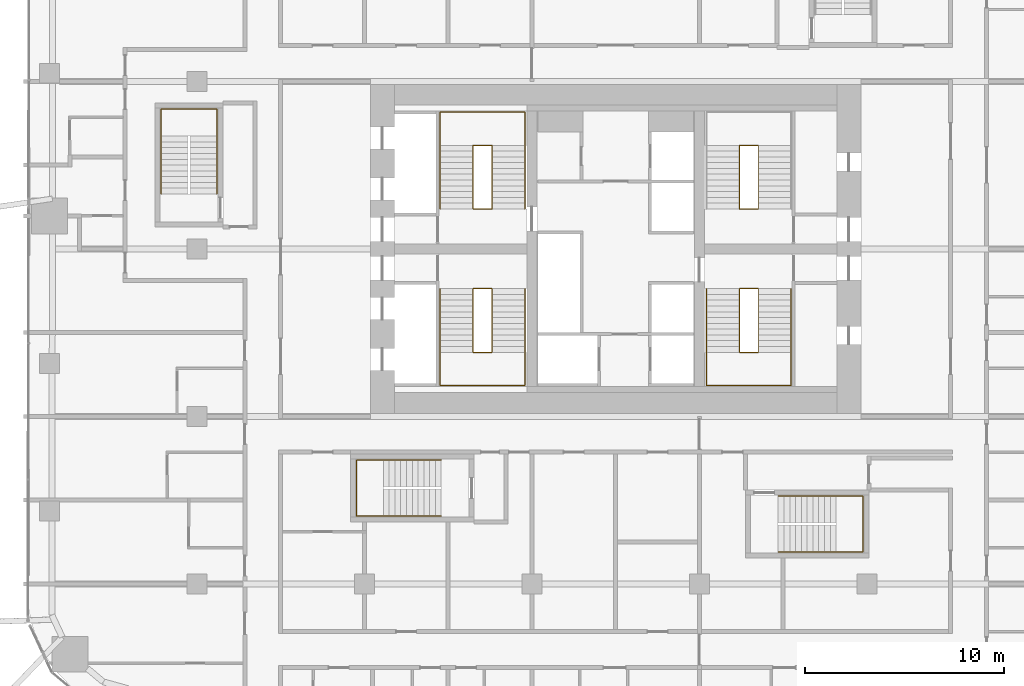
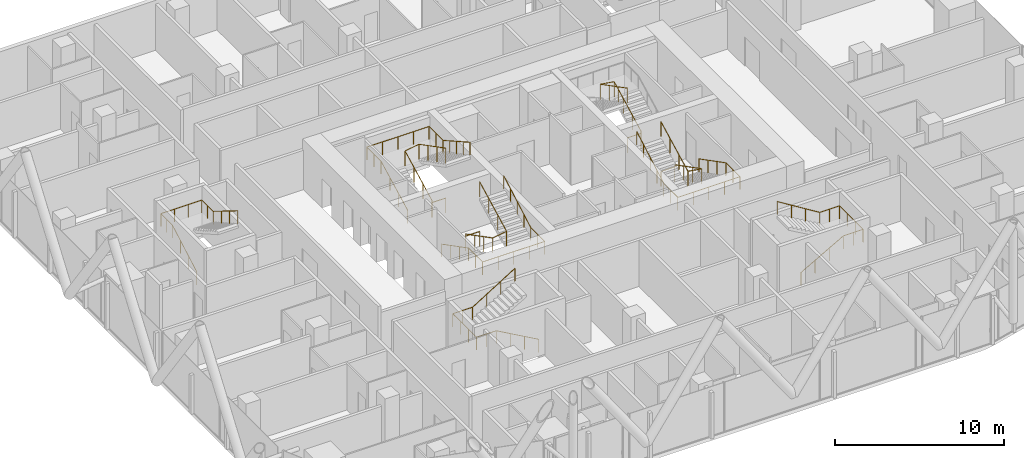
# One storey, part 37 of 38: 10 railings.
"""IFC4 building model written with IfcOpenShell, lengths in metres."""

from ifc_helpers import new_model, si_unit, direction, frame, origin, origin_2d, place, context, subcontext, project, spatial, circle, extrude, material, type_object, element, save


model = new_model("IFC4")

# Units and contexts
model_context = context("Model", 3, precision=1e-05, world=origin(), true_north=direction((0.0, 1.0)))
body_context = subcontext(model_context, "Body", "Model", "MODEL_VIEW")
ifc_project = project(units=[si_unit("LENGTHUNIT", "METRE"), si_unit("AREAUNIT", "SQUARE_METRE"), si_unit("VOLUMEUNIT", "CUBIC_METRE"), si_unit("PLANEANGLEUNIT", "RADIAN"), si_unit("MASSUNIT", "GRAM", prefix="KILO")], contexts=[model_context])

# Site, building, storey
site_placement = place(None, origin())
site = spatial("IfcSite", under=ifc_project, at=site_placement, CompositionType="ELEMENT")
building_placement = place(site_placement, origin())
building = spatial("IfcBuilding", under=site, at=building_placement, Name="Marenta Gate Hotel Tower", CompositionType="ELEMENT")
storey_placement = place(building_placement, frame((0.0, 0.0, 54.5)))
storey = spatial("IfcBuildingStorey", under=building, at=storey_placement, Name="L11", CompositionType="ELEMENT", Elevation=54.5)

# Railings
ifc_material_1 = material(Name="Stainless steel", Category="steel")
railing_type_1 = type_object("IfcRailingType", Name="Core stair handrail 950", PredefinedType="HANDRAIL", material=ifc_material_1)
railing_1_placement = place(storey_placement, frame((-8.800048828125, 6.39990234375, 0.14990234375)))
element("IfcRailing", 1, at=railing_1_placement, inside=storey, type_object=railing_type_1, Name="HR-950 L11-KR-ST1-1", PredefinedType="HANDRAIL", context=body_context, shape_type="SweptSolid", body=[
    extrude(circle(Radius=0.02392578125, at=origin_2d()), frame((0.0, 0.0, 0.92578125), z_axis=(0.0, -0.888197555067, 0.459461753765), x_axis=(1.0, 0.0, 0.0)), (0.0, 0.0, 1.0), 3.591552734375),
    extrude(circle(Radius=0.02392578125, at=origin_2d()), frame((0.0, -3.18994140625, 2.576171875), z_axis=(0.0, -1.0, 0.0), x_axis=(1.0, 0.0, 0.0)), (0.0, 0.0, 1.0), 1.659912109375),
    extrude(circle(Radius=0.02392578125, at=origin_2d()), frame((0.0, -4.849853515625, 2.576171875), z_axis=(1.0, 0.0, 0.0), x_axis=(0.0, 1.0, 0.0)), (0.0, 0.0, 1.0), 4.25),
    extrude(circle(Radius=0.02392578125, at=origin_2d()), frame((4.25, -4.849853515625, 2.576171875), z_axis=(0.0, 1.0, 0.0), x_axis=(-1.0, 0.0, 0.0)), (0.0, 0.0, 1.0), 1.659912109375),
    extrude(circle(Radius=0.02392578125, at=origin_2d()), frame((4.25, -3.18994140625, 2.576171875), z_axis=(0.0, 0.87090897868, 0.491444351738), x_axis=(-1.0, 0.0, 0.0)), (0.0, 0.0, 1.0), 3.662841796875),
    extrude(circle(Radius=0.02099609375, at=origin_2d()), origin(), (0.0, 0.0, 1.0), 0.90185546875),
    extrude(circle(Radius=0.02099609375, at=origin_2d()), frame((0.0, -1.063232421875, 0.550048828125)), (0.0, 0.0, 1.0), 0.90185546875),
    extrude(circle(Radius=0.02099609375, at=origin_2d()), frame((0.0, -2.126708984375, 1.10009765625)), (0.0, 0.0, 1.0), 0.90185546875),
    extrude(circle(Radius=0.02099609375, at=origin_2d()), frame((0.0, -3.18994140625, 1.650146484375)), (0.0, 0.0, 1.0), 0.90185546875),
    extrude(circle(Radius=0.02099609375, at=origin_2d()), frame((0.0, -4.02001953125, 1.650146484375)), (0.0, 0.0, 1.0), 0.90185546875),
    extrude(circle(Radius=0.02099609375, at=origin_2d()), frame((0.0, -4.849853515625, 1.650146484375)), (0.0, 0.0, 1.0), 0.90185546875),
    extrude(circle(Radius=0.02099609375, at=origin_2d()), frame((1.0625, -4.849853515625, 1.650146484375)), (0.0, 0.0, 1.0), 0.90185546875),
    extrude(circle(Radius=0.02099609375, at=origin_2d()), frame((2.125, -4.849853515625, 1.650146484375)), (0.0, 0.0, 1.0), 0.90185546875),
    extrude(circle(Radius=0.02099609375, at=origin_2d()), frame((3.1875, -4.849853515625, 1.650146484375)), (0.0, 0.0, 1.0), 0.90185546875),
    extrude(circle(Radius=0.02099609375, at=origin_2d()), frame((4.25, -4.849853515625, 1.650146484375)), (0.0, 0.0, 1.0), 0.90185546875),
    extrude(circle(Radius=0.02099609375, at=origin_2d()), frame((4.25, -4.02001953125, 1.650146484375)), (0.0, 0.0, 1.0), 0.90185546875),
    extrude(circle(Radius=0.02099609375, at=origin_2d()), frame((4.25, -3.18994140625, 1.650146484375)), (0.0, 0.0, 1.0), 0.90185546875),
    extrude(circle(Radius=0.02099609375, at=origin_2d()), frame((4.25, -2.392578125, 2.10009765625)), (0.0, 0.0, 1.0), 0.90185546875),
    extrude(circle(Radius=0.02099609375, at=origin_2d()), frame((4.25, -1.594970703125, 2.55029296875)), (0.0, 0.0, 1.0), 0.90185546875),
    extrude(circle(Radius=0.02099609375, at=origin_2d()), frame((4.25, -0.79736328125, 3.000244140625)), (0.0, 0.0, 1.0), 0.90185546875),
    extrude(circle(Radius=0.02099609375, at=origin_2d()), frame((4.25, 0.0, 3.4501953125)), (0.0, 0.0, 1.0), 0.90185546875),
])
railing_2_placement = place(storey_placement, frame((-8.800048828125, 10.39990234375, 0.14990234375)))
element("IfcRailing", 2, at=railing_2_placement, inside=storey, type_object=railing_type_1, Name="HR-950 L11-KR-ST2-1", PredefinedType="HANDRAIL", context=body_context, shape_type="SweptSolid", body=[
    extrude(circle(Radius=0.02392578125, at=origin_2d()), frame((0.0, 0.0, 0.92578125), z_axis=(0.0, 0.888211904222, 0.459434013977), x_axis=(-1.0, 0.0, 0.0)), (0.0, 0.0, 1.0), 3.591796875),
    extrude(circle(Radius=0.02392578125, at=origin_2d()), frame((0.0, 3.190185546875, 2.576171875), z_axis=(0.0, 1.0, 0.0), x_axis=(-1.0, 0.0, 0.0)), (0.0, 0.0, 1.0), 1.659912109375),
    extrude(circle(Radius=0.02392578125, at=origin_2d()), frame((0.0, 4.85009765625, 2.576171875), z_axis=(1.0, 0.0, 0.0), x_axis=(0.0, 1.0, 0.0)), (0.0, 0.0, 1.0), 4.25),
    extrude(circle(Radius=0.02392578125, at=origin_2d()), frame((4.25, 4.85009765625, 2.576171875), z_axis=(0.0, -1.0, 0.0), x_axis=(1.0, 0.0, 0.0)), (0.0, 0.0, 1.0), 1.659912109375),
    extrude(circle(Radius=0.02392578125, at=origin_2d()), frame((4.25, 3.190185546875, 2.576171875), z_axis=(0.0, -0.870925075533, 0.491415824742), x_axis=(1.0, 0.0, 0.0)), (0.0, 0.0, 1.0), 3.6630859375),
    extrude(circle(Radius=0.02099609375, at=origin_2d()), origin(), (0.0, 0.0, 1.0), 0.90185546875),
    extrude(circle(Radius=0.02099609375, at=origin_2d()), frame((0.0, 1.0634765625, 0.550048828125)), (0.0, 0.0, 1.0), 0.90185546875),
    extrude(circle(Radius=0.02099609375, at=origin_2d()), frame((0.0, 2.126708984375, 1.10009765625)), (0.0, 0.0, 1.0), 0.90185546875),
    extrude(circle(Radius=0.02099609375, at=origin_2d()), frame((0.0, 3.190185546875, 1.650146484375)), (0.0, 0.0, 1.0), 0.90185546875),
    extrude(circle(Radius=0.02099609375, at=origin_2d()), frame((0.0, 4.02001953125, 1.650146484375)), (0.0, 0.0, 1.0), 0.90185546875),
    extrude(circle(Radius=0.02099609375, at=origin_2d()), frame((0.0, 4.85009765625, 1.650146484375)), (0.0, 0.0, 1.0), 0.90185546875),
    extrude(circle(Radius=0.02099609375, at=origin_2d()), frame((1.0625, 4.85009765625, 1.650146484375)), (0.0, 0.0, 1.0), 0.90185546875),
    extrude(circle(Radius=0.02099609375, at=origin_2d()), frame((2.125, 4.85009765625, 1.650146484375)), (0.0, 0.0, 1.0), 0.90185546875),
    extrude(circle(Radius=0.02099609375, at=origin_2d()), frame((3.1875, 4.85009765625, 1.650146484375)), (0.0, 0.0, 1.0), 0.90185546875),
    extrude(circle(Radius=0.02099609375, at=origin_2d()), frame((4.25, 4.85009765625, 1.650146484375)), (0.0, 0.0, 1.0), 0.90185546875),
    extrude(circle(Radius=0.02099609375, at=origin_2d()), frame((4.25, 4.02001953125, 1.650146484375)), (0.0, 0.0, 1.0), 0.90185546875),
    extrude(circle(Radius=0.02099609375, at=origin_2d()), frame((4.25, 3.190185546875, 1.650146484375)), (0.0, 0.0, 1.0), 0.90185546875),
    extrude(circle(Radius=0.02099609375, at=origin_2d()), frame((4.25, 2.392578125, 2.10009765625)), (0.0, 0.0, 1.0), 0.90185546875),
    extrude(circle(Radius=0.02099609375, at=origin_2d()), frame((4.25, 1.59521484375, 2.55029296875)), (0.0, 0.0, 1.0), 0.90185546875),
    extrude(circle(Radius=0.02099609375, at=origin_2d()), frame((4.25, 0.797607421875, 3.000244140625)), (0.0, 0.0, 1.0), 0.90185546875),
    extrude(circle(Radius=0.02099609375, at=origin_2d()), frame((4.25, 0.0, 3.4501953125)), (0.0, 0.0, 1.0), 0.90185546875),
])
railing_3_placement = place(storey_placement, frame((8.800048828125, 6.39990234375, 0.14990234375)))
element("IfcRailing", 3, at=railing_3_placement, inside=storey, type_object=railing_type_1, Name="HR-950 L11-KR-ST3-1", PredefinedType="HANDRAIL", context=body_context, shape_type="SweptSolid", body=[
    extrude(circle(Radius=0.02392578125, at=origin_2d()), frame((0.0, 0.0, 0.92578125), z_axis=(0.0, -0.888197555067, 0.459461753765), x_axis=(1.0, 0.0, 0.0)), (0.0, 0.0, 1.0), 3.591552734375),
    extrude(circle(Radius=0.02392578125, at=origin_2d()), frame((0.0, -3.18994140625, 2.576171875), z_axis=(0.0, -1.0, 0.0), x_axis=(1.0, 0.0, 0.0)), (0.0, 0.0, 1.0), 1.659912109375),
    extrude(circle(Radius=0.02392578125, at=origin_2d()), frame((0.0, -4.849853515625, 2.576171875), z_axis=(-1.0, 0.0, 0.0), x_axis=(0.0, -1.0, 0.0)), (0.0, 0.0, 1.0), 4.25),
    extrude(circle(Radius=0.02392578125, at=origin_2d()), frame((-4.25, -4.849853515625, 2.576171875), z_axis=(0.0, 1.0, 0.0), x_axis=(-1.0, 0.0, 0.0)), (0.0, 0.0, 1.0), 1.659912109375),
    extrude(circle(Radius=0.02392578125, at=origin_2d()), frame((-4.25, -3.18994140625, 2.576171875), z_axis=(0.0, 0.87090897868, 0.491444351738), x_axis=(-1.0, 0.0, 0.0)), (0.0, 0.0, 1.0), 3.662841796875),
    extrude(circle(Radius=0.02099609375, at=origin_2d()), origin(), (0.0, 0.0, 1.0), 0.90185546875),
    extrude(circle(Radius=0.02099609375, at=origin_2d()), frame((0.0, -1.063232421875, 0.550048828125)), (0.0, 0.0, 1.0), 0.90185546875),
    extrude(circle(Radius=0.02099609375, at=origin_2d()), frame((0.0, -2.126708984375, 1.10009765625)), (0.0, 0.0, 1.0), 0.90185546875),
    extrude(circle(Radius=0.02099609375, at=origin_2d()), frame((0.0, -3.18994140625, 1.650146484375)), (0.0, 0.0, 1.0), 0.90185546875),
    extrude(circle(Radius=0.02099609375, at=origin_2d()), frame((0.0, -4.02001953125, 1.650146484375)), (0.0, 0.0, 1.0), 0.90185546875),
    extrude(circle(Radius=0.02099609375, at=origin_2d()), frame((0.0, -4.849853515625, 1.650146484375)), (0.0, 0.0, 1.0), 0.90185546875),
    extrude(circle(Radius=0.02099609375, at=origin_2d()), frame((-1.0625, -4.849853515625, 1.650146484375)), (0.0, 0.0, 1.0), 0.90185546875),
    extrude(circle(Radius=0.02099609375, at=origin_2d()), frame((-2.125, -4.849853515625, 1.650146484375)), (0.0, 0.0, 1.0), 0.90185546875),
    extrude(circle(Radius=0.02099609375, at=origin_2d()), frame((-3.1875, -4.849853515625, 1.650146484375)), (0.0, 0.0, 1.0), 0.90185546875),
    extrude(circle(Radius=0.02099609375, at=origin_2d()), frame((-4.25, -4.849853515625, 1.650146484375)), (0.0, 0.0, 1.0), 0.90185546875),
    extrude(circle(Radius=0.02099609375, at=origin_2d()), frame((-4.25, -4.02001953125, 1.650146484375)), (0.0, 0.0, 1.0), 0.90185546875),
    extrude(circle(Radius=0.02099609375, at=origin_2d()), frame((-4.25, -3.18994140625, 1.650146484375)), (0.0, 0.0, 1.0), 0.90185546875),
    extrude(circle(Radius=0.02099609375, at=origin_2d()), frame((-4.25, -2.392578125, 2.10009765625)), (0.0, 0.0, 1.0), 0.90185546875),
    extrude(circle(Radius=0.02099609375, at=origin_2d()), frame((-4.25, -1.594970703125, 2.55029296875)), (0.0, 0.0, 1.0), 0.90185546875),
    extrude(circle(Radius=0.02099609375, at=origin_2d()), frame((-4.25, -0.79736328125, 3.000244140625)), (0.0, 0.0, 1.0), 0.90185546875),
    extrude(circle(Radius=0.02099609375, at=origin_2d()), frame((-4.25, 0.0, 3.4501953125)), (0.0, 0.0, 1.0), 0.90185546875),
])
railing_4_placement = place(storey_placement, frame((8.14990234375, -6.800048828125, 0.16357421875)))
element("IfcRailing", 4, at=railing_4_placement, inside=storey, type_object=railing_type_1, Name="HR-950 L11-RS-Z1-1-KR-1", PredefinedType="HANDRAIL", context=body_context, shape_type="SweptSolid", body=[
    extrude(circle(Radius=0.02392578125, at=origin_2d()), frame((0.0, 0.0, 0.92578125), z_axis=(0.870914908162, 0.0, 0.491433843708), x_axis=(0.0, 1.0, 0.0)), (0.0, 0.0, 1.0), 3.330078125),
    extrude(circle(Radius=0.02392578125, at=origin_2d()), frame((2.900146484375, 0.0, 2.5625), z_axis=(1.0, 0.0, 0.0), x_axis=(0.0, 1.0, 0.0)), (0.0, 0.0, 1.0), 1.349853515625),
    extrude(circle(Radius=0.02392578125, at=origin_2d()), frame((4.25, 0.0, 2.5625), z_axis=(0.0, 1.0, 0.0), x_axis=(-1.0, 0.0, 0.0)), (0.0, 0.0, 1.0), 2.800048828125),
    extrude(circle(Radius=0.02392578125, at=origin_2d()), frame((4.25, 2.800048828125, 2.5625), z_axis=(-1.0, 0.0, 0.0), x_axis=(0.0, -1.0, 0.0)), (0.0, 0.0, 1.0), 1.349853515625),
    extrude(circle(Radius=0.02392578125, at=origin_2d()), frame((2.900146484375, 2.800048828125, 2.5625), z_axis=(-0.849645691689, 0.0, 0.527353959494), x_axis=(0.0, -1.0, 0.0)), (0.0, 0.0, 1.0), 3.413330078125),
    extrude(circle(Radius=0.02099609375, at=origin_2d()), origin(), (0.0, 0.0, 1.0), 0.90185546875),
    extrude(circle(Radius=0.02099609375, at=origin_2d()), frame((0.966796875, 0.0, 0.54541015625)), (0.0, 0.0, 1.0), 0.90185546875),
    extrude(circle(Radius=0.02099609375, at=origin_2d()), frame((1.933349609375, 0.0, 1.091064453125)), (0.0, 0.0, 1.0), 0.90185546875),
    extrude(circle(Radius=0.02099609375, at=origin_2d()), frame((2.900146484375, 0.0, 1.636474609375)), (0.0, 0.0, 1.0), 0.90185546875),
    extrude(circle(Radius=0.02099609375, at=origin_2d()), frame((3.5751953125, 0.0, 1.636474609375)), (0.0, 0.0, 1.0), 0.90185546875),
    extrude(circle(Radius=0.02099609375, at=origin_2d()), frame((4.25, 0.0, 1.636474609375)), (0.0, 0.0, 1.0), 0.90185546875),
    extrude(circle(Radius=0.02099609375, at=origin_2d()), frame((4.25, 0.933349609375, 1.636474609375)), (0.0, 0.0, 1.0), 0.90185546875),
    extrude(circle(Radius=0.02099609375, at=origin_2d()), frame((4.25, 1.86669921875, 1.636474609375)), (0.0, 0.0, 1.0), 0.90185546875),
    extrude(circle(Radius=0.02099609375, at=origin_2d()), frame((4.25, 2.800048828125, 1.636474609375)), (0.0, 0.0, 1.0), 0.90185546875),
    extrude(circle(Radius=0.02099609375, at=origin_2d()), frame((3.5751953125, 2.800048828125, 1.636474609375)), (0.0, 0.0, 1.0), 0.90185546875),
    extrude(circle(Radius=0.02099609375, at=origin_2d()), frame((2.900146484375, 2.800048828125, 1.636474609375)), (0.0, 0.0, 1.0), 0.90185546875),
    extrude(circle(Radius=0.02099609375, at=origin_2d()), frame((1.933349609375, 2.800048828125, 2.236572265625)), (0.0, 0.0, 1.0), 0.90185546875),
    extrude(circle(Radius=0.02099609375, at=origin_2d()), frame((0.966796875, 2.800048828125, 2.83642578125)), (0.0, 0.0, 1.0), 0.90185546875),
    extrude(circle(Radius=0.02099609375, at=origin_2d()), frame((0.0, 2.800048828125, 3.4365234375)), (0.0, 0.0, 1.0), 0.90185546875),
])
railing_5_placement = place(storey_placement, frame((-8.75, -5.0, 0.16357421875)))
element("IfcRailing", 5, at=railing_5_placement, inside=storey, type_object=railing_type_1, Name="HR-950 L11-RS-Z1-2-KR-1", PredefinedType="HANDRAIL", context=body_context, shape_type="SweptSolid", body=[
    extrude(circle(Radius=0.02392578125, at=origin_2d()), frame((0.0, 0.0, 0.92578125), z_axis=(-0.870897200241, 0.0, 0.491465224214), x_axis=(0.0, -1.0, 0.0)), (0.0, 0.0, 1.0), 3.329833984375),
    extrude(circle(Radius=0.02392578125, at=origin_2d()), frame((-2.89990234375, 0.0, 2.5625), z_axis=(-1.0, 0.0, 0.0), x_axis=(0.0, -1.0, 0.0)), (0.0, 0.0, 1.0), 1.35009765625),
    extrude(circle(Radius=0.02392578125, at=origin_2d()), frame((-4.25, 0.0, 2.5625), z_axis=(0.0, 1.0, 0.0), x_axis=(-1.0, 0.0, 0.0)), (0.0, 0.0, 1.0), 2.800048828125),
    extrude(circle(Radius=0.02392578125, at=origin_2d()), frame((-4.25, 2.800048828125, 2.5625), z_axis=(1.0, 0.0, 0.0), x_axis=(0.0, 1.0, 0.0)), (0.0, 0.0, 1.0), 1.35009765625),
    extrude(circle(Radius=0.02392578125, at=origin_2d()), frame((-2.89990234375, 2.800048828125, 2.5625), z_axis=(0.849625798611, 0.0, 0.527386008853), x_axis=(0.0, 1.0, 0.0)), (0.0, 0.0, 1.0), 3.4130859375),
    extrude(circle(Radius=0.02099609375, at=origin_2d()), origin(), (0.0, 0.0, 1.0), 0.90185546875),
    extrude(circle(Radius=0.02099609375, at=origin_2d()), frame((-0.966552734375, 0.0, 0.54541015625)), (0.0, 0.0, 1.0), 0.90185546875),
    extrude(circle(Radius=0.02099609375, at=origin_2d()), frame((-1.933349609375, 0.0, 1.091064453125)), (0.0, 0.0, 1.0), 0.90185546875),
    extrude(circle(Radius=0.02099609375, at=origin_2d()), frame((-2.89990234375, 0.0, 1.636474609375)), (0.0, 0.0, 1.0), 0.90185546875),
    extrude(circle(Radius=0.02099609375, at=origin_2d()), frame((-3.574951171875, 0.0, 1.636474609375)), (0.0, 0.0, 1.0), 0.90185546875),
    extrude(circle(Radius=0.02099609375, at=origin_2d()), frame((-4.25, 0.0, 1.636474609375)), (0.0, 0.0, 1.0), 0.90185546875),
    extrude(circle(Radius=0.02099609375, at=origin_2d()), frame((-4.25, 0.933349609375, 1.636474609375)), (0.0, 0.0, 1.0), 0.90185546875),
    extrude(circle(Radius=0.02099609375, at=origin_2d()), frame((-4.25, 1.86669921875, 1.636474609375)), (0.0, 0.0, 1.0), 0.90185546875),
    extrude(circle(Radius=0.02099609375, at=origin_2d()), frame((-4.25, 2.800048828125, 1.636474609375)), (0.0, 0.0, 1.0), 0.90185546875),
    extrude(circle(Radius=0.02099609375, at=origin_2d()), frame((-3.574951171875, 2.800048828125, 1.636474609375)), (0.0, 0.0, 1.0), 0.90185546875),
    extrude(circle(Radius=0.02099609375, at=origin_2d()), frame((-2.89990234375, 2.800048828125, 1.636474609375)), (0.0, 0.0, 1.0), 0.90185546875),
    extrude(circle(Radius=0.02099609375, at=origin_2d()), frame((-1.933349609375, 2.800048828125, 2.236572265625)), (0.0, 0.0, 1.0), 0.90185546875),
    extrude(circle(Radius=0.02099609375, at=origin_2d()), frame((-0.966552734375, 2.800048828125, 2.83642578125)), (0.0, 0.0, 1.0), 0.90185546875),
    extrude(circle(Radius=0.02099609375, at=origin_2d()), frame((0.0, 2.800048828125, 3.4365234375)), (0.0, 0.0, 1.0), 0.90185546875),
])
railing_6_placement = place(storey_placement, frame((-22.800048828125, 11.14990234375, 0.16357421875)))
element("IfcRailing", 6, at=railing_6_placement, inside=storey, type_object=railing_type_1, Name="HR-950 L11-RS-Z1-3-KR-1", PredefinedType="HANDRAIL", context=body_context, shape_type="SweptSolid", body=[
    extrude(circle(Radius=0.02392578125, at=origin_2d()), frame((0.0, 0.0, 0.92578125), z_axis=(0.0, 0.870914908162, 0.491433843708), x_axis=(-1.0, 0.0, 0.0)), (0.0, 0.0, 1.0), 3.330078125),
    extrude(circle(Radius=0.02392578125, at=origin_2d()), frame((0.0, 2.900146484375, 2.5625), z_axis=(0.0, 1.0, 0.0), x_axis=(-1.0, 0.0, 0.0)), (0.0, 0.0, 1.0), 1.349853515625),
    extrude(circle(Radius=0.02392578125, at=origin_2d()), frame((0.0, 4.25, 2.5625), z_axis=(1.0, 0.0, 0.0), x_axis=(0.0, 1.0, 0.0)), (0.0, 0.0, 1.0), 2.800048828125),
    extrude(circle(Radius=0.02392578125, at=origin_2d()), frame((2.800048828125, 4.25, 2.5625), z_axis=(0.0, -1.0, 0.0), x_axis=(1.0, 0.0, 0.0)), (0.0, 0.0, 1.0), 1.349853515625),
    extrude(circle(Radius=0.02392578125, at=origin_2d()), frame((2.800048828125, 2.900146484375, 2.5625), z_axis=(0.0, -0.849645691689, 0.527353959494), x_axis=(1.0, 0.0, 0.0)), (0.0, 0.0, 1.0), 3.413330078125),
    extrude(circle(Radius=0.02099609375, at=origin_2d()), origin(), (0.0, 0.0, 1.0), 0.90185546875),
    extrude(circle(Radius=0.02099609375, at=origin_2d()), frame((0.0, 0.966796875, 0.54541015625)), (0.0, 0.0, 1.0), 0.90185546875),
    extrude(circle(Radius=0.02099609375, at=origin_2d()), frame((0.0, 1.933349609375, 1.091064453125)), (0.0, 0.0, 1.0), 0.90185546875),
    extrude(circle(Radius=0.02099609375, at=origin_2d()), frame((0.0, 2.900146484375, 1.636474609375)), (0.0, 0.0, 1.0), 0.90185546875),
    extrude(circle(Radius=0.02099609375, at=origin_2d()), frame((0.0, 3.5751953125, 1.636474609375)), (0.0, 0.0, 1.0), 0.90185546875),
    extrude(circle(Radius=0.02099609375, at=origin_2d()), frame((0.0, 4.25, 1.636474609375)), (0.0, 0.0, 1.0), 0.90185546875),
    extrude(circle(Radius=0.02099609375, at=origin_2d()), frame((0.933349609375, 4.25, 1.636474609375)), (0.0, 0.0, 1.0), 0.90185546875),
    extrude(circle(Radius=0.02099609375, at=origin_2d()), frame((1.86669921875, 4.25, 1.636474609375)), (0.0, 0.0, 1.0), 0.90185546875),
    extrude(circle(Radius=0.02099609375, at=origin_2d()), frame((2.800048828125, 4.25, 1.636474609375)), (0.0, 0.0, 1.0), 0.90185546875),
    extrude(circle(Radius=0.02099609375, at=origin_2d()), frame((2.800048828125, 3.5751953125, 1.636474609375)), (0.0, 0.0, 1.0), 0.90185546875),
    extrude(circle(Radius=0.02099609375, at=origin_2d()), frame((2.800048828125, 2.900146484375, 1.636474609375)), (0.0, 0.0, 1.0), 0.90185546875),
    extrude(circle(Radius=0.02099609375, at=origin_2d()), frame((2.800048828125, 1.933349609375, 2.236572265625)), (0.0, 0.0, 1.0), 0.90185546875),
    extrude(circle(Radius=0.02099609375, at=origin_2d()), frame((2.800048828125, 0.966796875, 2.83642578125)), (0.0, 0.0, 1.0), 0.90185546875),
    extrude(circle(Radius=0.02099609375, at=origin_2d()), frame((2.800048828125, 0.0, 3.4365234375)), (0.0, 0.0, 1.0), 0.90185546875),
])
ifc_material_2 = material(Name="Stainless steel", Category="steel")
railing_type_2 = type_object("IfcRailingType", Name="Core stair well guard 1100", PredefinedType="GUARDRAIL", material=ifc_material_2)
railing_7_placement = place(storey_placement, frame((-6.199951171875, 6.39990234375, 0.0)))
element("IfcRailing", 7, at=railing_7_placement, inside=storey, type_object=railing_type_2, Name="GR-1100 L11-KR-ST1-2", PredefinedType="GUARDRAIL", context=body_context, shape_type="SweptSolid", body=[
    extrude(circle(Radius=0.02392578125, at=origin_2d()), frame((0.0, 0.0, 1.076171875), z_axis=(-1.0, 0.0, 0.0), x_axis=(0.0, -1.0, 0.0)), (0.0, 0.0, 1.0), 0.949951171875),
    extrude(circle(Radius=0.02392578125, at=origin_2d()), frame((-0.949951171875, 0.0, 1.076171875), z_axis=(0.0, 0.0, 1.0), x_axis=(1.0, 0.0, 0.0)), (0.0, 0.0, 1.0), 0.14990234375),
    extrude(circle(Radius=0.02392578125, at=origin_2d()), frame((-0.949951171875, 0.0, 1.22607421875), z_axis=(0.0, -0.888197555067, 0.459461753765), x_axis=(1.0, 0.0, 0.0)), (0.0, 0.0, 1.0), 3.591552734375),
    extrude(circle(Radius=0.02392578125, at=origin_2d()), frame((-0.949951171875, -3.18994140625, 2.8759765625), z_axis=(0.987777369502, 0.0, 0.15587131968), x_axis=(0.0, 1.0, 0.0)), (0.0, 0.0, 1.0), 0.961669921875),
    extrude(circle(Radius=0.02392578125, at=origin_2d()), frame((0.0, -3.18994140625, 3.02587890625), z_axis=(0.0, 0.888197555067, 0.459461753765), x_axis=(-1.0, 0.0, 0.0)), (0.0, 0.0, 1.0), 3.591552734375),
    extrude(circle(Radius=0.02099609375, at=origin_2d()), origin(), (0.0, 0.0, 1.0), 1.052001953125),
    extrude(circle(Radius=0.02099609375, at=origin_2d()), frame((-0.949951171875, 0.0, 0.0)), (0.0, 0.0, 1.0), 1.052001953125),
    extrude(circle(Radius=0.02099609375, at=origin_2d()), frame((-0.949951171875, 0.0, 0.14990234375)), (0.0, 0.0, 1.0), 1.052001953125),
    extrude(circle(Radius=0.02099609375, at=origin_2d()), frame((-0.949951171875, -1.063232421875, 0.699951171875)), (0.0, 0.0, 1.0), 1.052001953125),
    extrude(circle(Radius=0.02099609375, at=origin_2d()), frame((-0.949951171875, -2.126708984375, 1.25)), (0.0, 0.0, 1.0), 1.052001953125),
    extrude(circle(Radius=0.02099609375, at=origin_2d()), frame((-0.949951171875, -3.18994140625, 1.800048828125)), (0.0, 0.0, 1.0), 1.052001953125),
    extrude(circle(Radius=0.02099609375, at=origin_2d()), frame((0.0, -3.18994140625, 1.949951171875)), (0.0, 0.0, 1.0), 1.052001953125),
    extrude(circle(Radius=0.02099609375, at=origin_2d()), frame((0.0, -2.126708984375, 2.5)), (0.0, 0.0, 1.0), 1.052001953125),
    extrude(circle(Radius=0.02099609375, at=origin_2d()), frame((0.0, -1.063232421875, 3.050048828125)), (0.0, 0.0, 1.0), 1.052001953125),
    extrude(circle(Radius=0.02099609375, at=origin_2d()), frame((0.0, 0.0, 3.60009765625)), (0.0, 0.0, 1.0), 1.052001953125),
])
railing_8_placement = place(storey_placement, frame((-6.199951171875, 10.39990234375, 0.0)))
element("IfcRailing", 8, at=railing_8_placement, inside=storey, type_object=railing_type_2, Name="GR-1100 L11-KR-ST2-2", PredefinedType="GUARDRAIL", context=body_context, shape_type="SweptSolid", body=[
    extrude(circle(Radius=0.02392578125, at=origin_2d()), frame((0.0, 0.0, 1.076171875), z_axis=(-1.0, 0.0, 0.0), x_axis=(0.0, -1.0, 0.0)), (0.0, 0.0, 1.0), 0.949951171875),
    extrude(circle(Radius=0.02392578125, at=origin_2d()), frame((-0.949951171875, 0.0, 1.076171875), z_axis=(0.0, 0.0, 1.0), x_axis=(1.0, 0.0, 0.0)), (0.0, 0.0, 1.0), 0.14990234375),
    extrude(circle(Radius=0.02392578125, at=origin_2d()), frame((-0.949951171875, 0.0, 1.22607421875), z_axis=(0.0, 0.888211904222, 0.459434013977), x_axis=(-1.0, 0.0, 0.0)), (0.0, 0.0, 1.0), 3.591796875),
    extrude(circle(Radius=0.02392578125, at=origin_2d()), frame((-0.949951171875, 3.190185546875, 2.8759765625), z_axis=(0.987777369502, 0.0, 0.15587131968), x_axis=(0.0, 1.0, 0.0)), (0.0, 0.0, 1.0), 0.961669921875),
    extrude(circle(Radius=0.02392578125, at=origin_2d()), frame((0.0, 3.190185546875, 3.02587890625), z_axis=(0.0, -0.888211904222, 0.459434013977), x_axis=(1.0, 0.0, 0.0)), (0.0, 0.0, 1.0), 3.591796875),
    extrude(circle(Radius=0.02099609375, at=origin_2d()), origin(), (0.0, 0.0, 1.0), 1.052001953125),
    extrude(circle(Radius=0.02099609375, at=origin_2d()), frame((-0.949951171875, 0.0, 0.0)), (0.0, 0.0, 1.0), 1.052001953125),
    extrude(circle(Radius=0.02099609375, at=origin_2d()), frame((-0.949951171875, 0.0, 0.14990234375)), (0.0, 0.0, 1.0), 1.052001953125),
    extrude(circle(Radius=0.02099609375, at=origin_2d()), frame((-0.949951171875, 1.0634765625, 0.699951171875)), (0.0, 0.0, 1.0), 1.052001953125),
    extrude(circle(Radius=0.02099609375, at=origin_2d()), frame((-0.949951171875, 2.126708984375, 1.25)), (0.0, 0.0, 1.0), 1.052001953125),
    extrude(circle(Radius=0.02099609375, at=origin_2d()), frame((-0.949951171875, 3.190185546875, 1.800048828125)), (0.0, 0.0, 1.0), 1.052001953125),
    extrude(circle(Radius=0.02099609375, at=origin_2d()), frame((0.0, 3.190185546875, 1.949951171875)), (0.0, 0.0, 1.0), 1.052001953125),
    extrude(circle(Radius=0.02099609375, at=origin_2d()), frame((0.0, 2.126708984375, 2.5)), (0.0, 0.0, 1.0), 1.052001953125),
    extrude(circle(Radius=0.02099609375, at=origin_2d()), frame((0.0, 1.0634765625, 3.050048828125)), (0.0, 0.0, 1.0), 1.052001953125),
    extrude(circle(Radius=0.02099609375, at=origin_2d()), frame((0.0, 0.0, 3.60009765625)), (0.0, 0.0, 1.0), 1.052001953125),
])
railing_9_placement = place(storey_placement, frame((6.199951171875, 6.39990234375, 0.0)))
element("IfcRailing", 9, at=railing_9_placement, inside=storey, type_object=railing_type_2, Name="GR-1100 L11-KR-ST3-2", PredefinedType="GUARDRAIL", context=body_context, shape_type="SweptSolid", body=[
    extrude(circle(Radius=0.02392578125, at=origin_2d()), frame((0.0, 0.0, 1.076171875), z_axis=(1.0, 0.0, 0.0), x_axis=(0.0, 1.0, 0.0)), (0.0, 0.0, 1.0), 0.949951171875),
    extrude(circle(Radius=0.02392578125, at=origin_2d()), frame((0.949951171875, 0.0, 1.076171875), z_axis=(0.0, 0.0, 1.0), x_axis=(1.0, 0.0, 0.0)), (0.0, 0.0, 1.0), 0.14990234375),
    extrude(circle(Radius=0.02392578125, at=origin_2d()), frame((0.949951171875, 0.0, 1.22607421875), z_axis=(0.0, -0.888197555067, 0.459461753765), x_axis=(1.0, 0.0, 0.0)), (0.0, 0.0, 1.0), 3.591552734375),
    extrude(circle(Radius=0.02392578125, at=origin_2d()), frame((0.949951171875, -3.18994140625, 2.8759765625), z_axis=(-0.987777369502, 0.0, 0.15587131968), x_axis=(0.0, -1.0, 0.0)), (0.0, 0.0, 1.0), 0.961669921875),
    extrude(circle(Radius=0.02392578125, at=origin_2d()), frame((0.0, -3.18994140625, 3.02587890625), z_axis=(0.0, 0.888197555067, 0.459461753765), x_axis=(-1.0, 0.0, 0.0)), (0.0, 0.0, 1.0), 3.591552734375),
    extrude(circle(Radius=0.02099609375, at=origin_2d()), origin(), (0.0, 0.0, 1.0), 1.052001953125),
    extrude(circle(Radius=0.02099609375, at=origin_2d()), frame((0.949951171875, 0.0, 0.0)), (0.0, 0.0, 1.0), 1.052001953125),
    extrude(circle(Radius=0.02099609375, at=origin_2d()), frame((0.949951171875, 0.0, 0.14990234375)), (0.0, 0.0, 1.0), 1.052001953125),
    extrude(circle(Radius=0.02099609375, at=origin_2d()), frame((0.949951171875, -1.063232421875, 0.699951171875)), (0.0, 0.0, 1.0), 1.052001953125),
    extrude(circle(Radius=0.02099609375, at=origin_2d()), frame((0.949951171875, -2.126708984375, 1.25)), (0.0, 0.0, 1.0), 1.052001953125),
    extrude(circle(Radius=0.02099609375, at=origin_2d()), frame((0.949951171875, -3.18994140625, 1.800048828125)), (0.0, 0.0, 1.0), 1.052001953125),
    extrude(circle(Radius=0.02099609375, at=origin_2d()), frame((0.0, -3.18994140625, 1.949951171875)), (0.0, 0.0, 1.0), 1.052001953125),
    extrude(circle(Radius=0.02099609375, at=origin_2d()), frame((0.0, -2.126708984375, 2.5)), (0.0, 0.0, 1.0), 1.052001953125),
    extrude(circle(Radius=0.02099609375, at=origin_2d()), frame((0.0, -1.063232421875, 3.050048828125)), (0.0, 0.0, 1.0), 1.052001953125),
    extrude(circle(Radius=0.02099609375, at=origin_2d()), frame((0.0, 0.0, 3.60009765625)), (0.0, 0.0, 1.0), 1.052001953125),
])
railing_10_placement = place(storey_placement, frame((6.199951171875, 10.39990234375, 0.0)))
element("IfcRailing", 10, at=railing_10_placement, inside=storey, type_object=railing_type_2, Name="GR-1100 L11-KR-ST4-2", PredefinedType="GUARDRAIL", context=body_context, shape_type="SweptSolid", body=[
    extrude(circle(Radius=0.02392578125, at=origin_2d()), frame((0.0, 0.0, 1.076171875), z_axis=(1.0, 0.0, 0.0), x_axis=(0.0, 1.0, 0.0)), (0.0, 0.0, 1.0), 0.949951171875),
    extrude(circle(Radius=0.02392578125, at=origin_2d()), frame((0.949951171875, 0.0, 1.076171875), z_axis=(0.0, 0.0, 1.0), x_axis=(1.0, 0.0, 0.0)), (0.0, 0.0, 1.0), 0.14990234375),
    extrude(circle(Radius=0.02392578125, at=origin_2d()), frame((0.949951171875, 0.0, 1.22607421875), z_axis=(0.0, 0.888211904222, 0.459434013977), x_axis=(-1.0, 0.0, 0.0)), (0.0, 0.0, 1.0), 3.591796875),
    extrude(circle(Radius=0.02392578125, at=origin_2d()), frame((0.949951171875, 3.190185546875, 2.8759765625), z_axis=(-0.987777369502, 0.0, 0.15587131968), x_axis=(0.0, -1.0, 0.0)), (0.0, 0.0, 1.0), 0.961669921875),
    extrude(circle(Radius=0.02392578125, at=origin_2d()), frame((0.0, 3.190185546875, 3.02587890625), z_axis=(0.0, -0.888211904222, 0.459434013977), x_axis=(1.0, 0.0, 0.0)), (0.0, 0.0, 1.0), 3.591796875),
    extrude(circle(Radius=0.02099609375, at=origin_2d()), origin(), (0.0, 0.0, 1.0), 1.052001953125),
    extrude(circle(Radius=0.02099609375, at=origin_2d()), frame((0.949951171875, 0.0, 0.0)), (0.0, 0.0, 1.0), 1.052001953125),
    extrude(circle(Radius=0.02099609375, at=origin_2d()), frame((0.949951171875, 0.0, 0.14990234375)), (0.0, 0.0, 1.0), 1.052001953125),
    extrude(circle(Radius=0.02099609375, at=origin_2d()), frame((0.949951171875, 1.0634765625, 0.699951171875)), (0.0, 0.0, 1.0), 1.052001953125),
    extrude(circle(Radius=0.02099609375, at=origin_2d()), frame((0.949951171875, 2.126708984375, 1.25)), (0.0, 0.0, 1.0), 1.052001953125),
    extrude(circle(Radius=0.02099609375, at=origin_2d()), frame((0.949951171875, 3.190185546875, 1.800048828125)), (0.0, 0.0, 1.0), 1.052001953125),
    extrude(circle(Radius=0.02099609375, at=origin_2d()), frame((0.0, 3.190185546875, 1.949951171875)), (0.0, 0.0, 1.0), 1.052001953125),
    extrude(circle(Radius=0.02099609375, at=origin_2d()), frame((0.0, 2.126708984375, 2.5)), (0.0, 0.0, 1.0), 1.052001953125),
    extrude(circle(Radius=0.02099609375, at=origin_2d()), frame((0.0, 1.0634765625, 3.050048828125)), (0.0, 0.0, 1.0), 1.052001953125),
    extrude(circle(Radius=0.02099609375, at=origin_2d()), frame((0.0, 0.0, 3.60009765625)), (0.0, 0.0, 1.0), 1.052001953125),
])

save(model, "model.ifc")
